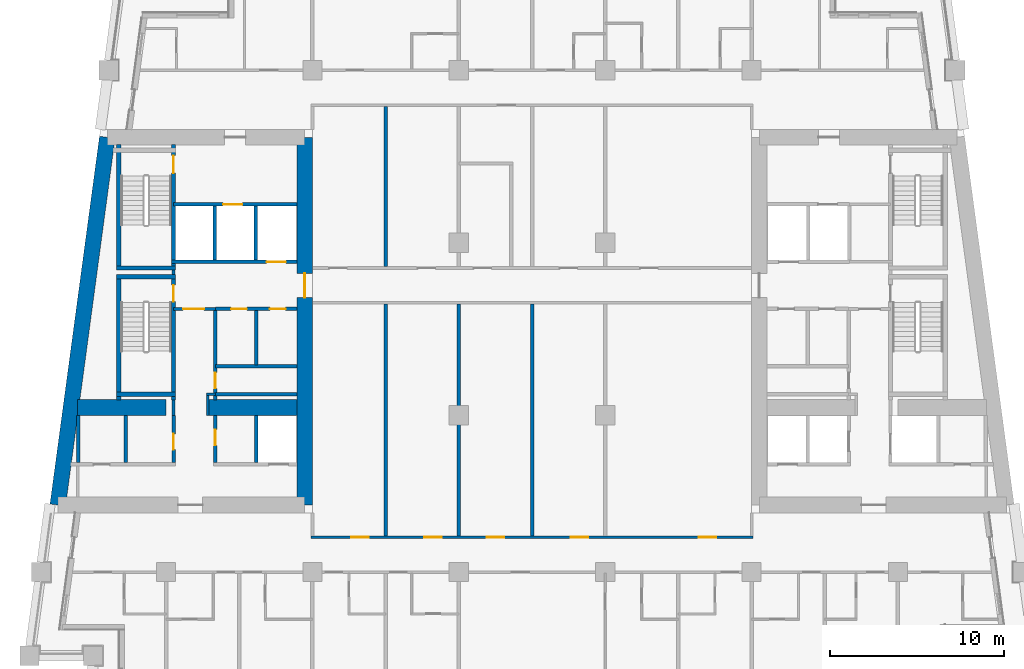
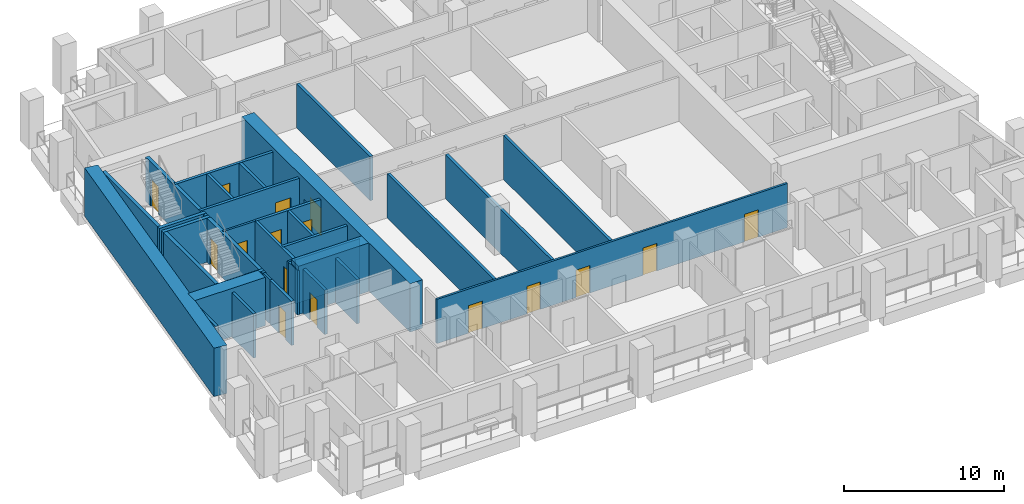
# One storey, part 4 of 14: 35 walls, 16 doors, 16 openings.
"""IFC4 building model written with IfcOpenShell, lengths in metres."""

import ifcopenshell
import ifcopenshell.guid

model = None  # the IFC model being written
_history = None  # IfcOwnerHistory: only IFC2X3 demands one
_inside = {}  # id of a spatial element -> (the spatial element, [elements in it])
_under = {}  # id of a project, library or spatial element -> (it, [spatial elements below it])
_declared = {}  # id of a project -> (the project, [libraries it declares])
_typed = {}  # id of a type object -> (the type object, [elements of that type])
_made_of = {}  # id of a material, layer set ... -> (it, [elements and type objects made of it])


def new_model(schema):
    """Start an empty IFC model of exactly this schema.

    Asked for "IFC4X3", IfcOpenShell would pick the latest addendum, in which some entities
    have other attributes; the version numbers below select the first issue.
    IFC2X3 requires an IfcOwnerHistory on every rooted entity: one is made here for all.
    """
    global model, _history
    if schema == "IFC4X3":
        model = ifcopenshell.file(schema_version=(4, 3, 0, 0))
    else:
        model = ifcopenshell.file(schema=schema)
    _inside.clear()
    _under.clear()
    _declared.clear()
    _typed.clear()
    _made_of.clear()
    _history = None
    if model.schema == "IFC2X3":
        org = make("IfcOrganization", Name="unknown")
        user = make(
            "IfcPersonAndOrganization",
            ThePerson=make("IfcPerson", FamilyName="unknown"),
            TheOrganization=org,
        )
        app = make(
            "IfcApplication",
            ApplicationDeveloper=org,
            Version="unknown",
            ApplicationFullName="unknown",
            ApplicationIdentifier="unknown",
        )
        _history = make(
            "IfcOwnerHistory",
            OwningUser=user,
            OwningApplication=app,
            ChangeAction="ADDED",
            CreationDate=0,
        )
    return model


def make(cls, **values):
    """One entity of the class cls with the attributes given. An attribute that is None is left unset."""
    return model.create_entity(
        cls, **{name: value for name, value in values.items() if value is not None}
    )


def rooted(cls, **values):
    """An entity with a GlobalId (a new one), such as an element, a storey or a relation."""
    return make(cls, GlobalId=ifcopenshell.guid.new(), OwnerHistory=_history, **values)


def si_unit(unit_type, name, prefix=None):
    """IfcSIUnit, for example si_unit("LENGTHUNIT", "METRE", prefix="MILLI")."""
    return make("IfcSIUnit", UnitType=unit_type, Prefix=prefix, Name=name)


def assignment(units):
    """IfcUnitAssignment: the units of a project."""
    return None if units is None else make("IfcUnitAssignment", Units=units)


def point(xyz):
    """IfcCartesianPoint."""
    return None if xyz is None else make("IfcCartesianPoint", Coordinates=xyz)


def direction(xyz):
    """IfcDirection."""
    return None if xyz is None else make("IfcDirection", DirectionRatios=xyz)


def frame(location, z_axis=None, x_axis=None):
    """IfcAxis2Placement3D, a coordinate frame: its origin and axes. An axis left out is left unset."""
    return make(
        "IfcAxis2Placement3D",
        Location=point(location),
        Axis=direction(z_axis),
        RefDirection=direction(x_axis),
    )


def frame_2d(location, x_axis=None):
    """IfcAxis2Placement2D, a coordinate frame in the plane: its origin and x axis."""
    return make(
        "IfcAxis2Placement2D", Location=point(location), RefDirection=direction(x_axis)
    )


def origin():
    """The frame at (0, 0, 0) with its axes left unset."""
    return frame((0.0, 0.0, 0.0))


def place(relative_to, where):
    """IfcLocalPlacement: puts the frame where relative to a parent placement (None: the world)."""
    return make(
        "IfcLocalPlacement", PlacementRelTo=relative_to, RelativePlacement=where
    )


def context(
    kind, dimensions, precision=None, world=None, true_north=None, identifier=None
):
    """IfcGeometricRepresentationContext, for example the 3D "Model" context."""
    return make(
        "IfcGeometricRepresentationContext",
        ContextIdentifier=identifier,
        ContextType=kind,
        CoordinateSpaceDimension=dimensions,
        Precision=precision,
        WorldCoordinateSystem=world,
        TrueNorth=true_north,
    )


def subcontext(parent, identifier, kind, view, scale=None):
    """IfcGeometricRepresentationSubContext, for example "Body" below "Model"."""
    return make(
        "IfcGeometricRepresentationSubContext",
        ContextIdentifier=identifier,
        ContextType=kind,
        ParentContext=parent,
        TargetScale=scale,
        TargetView=view,
    )


def project(units=None, contexts=None):
    """IfcProject with its units and contexts."""
    return rooted(
        "IfcProject",
        Name="project",
        RepresentationContexts=contexts,
        UnitsInContext=assignment(units),
    )


def spatial(cls, under=None, at=None, **own):
    """A site, building, storey or space (cls), placed at a placement, below another one or the project."""
    s = rooted(cls, ObjectPlacement=at, **own)
    if under is not None:
        _under.setdefault(under.id(), (under, []))[1].append(s)
    return s


def profile(cls, at=None, kind="AREA", **sizes):
    """A parametric profile (cls). Its sizes go by their IFC names, for example OverallWidth=200.0."""
    return make(cls, ProfileType=kind, Position=at, **sizes)


def rectangle(**sizes):
    """IfcRectangleProfileDef."""
    return profile("IfcRectangleProfileDef", **sizes)


def extrude(swept, where, along, depth):
    """IfcExtrudedAreaSolid: the profile swept, set in the frame where, extruded along a direction by depth."""
    return make(
        "IfcExtrudedAreaSolid",
        SweptArea=swept,
        Position=where,
        ExtrudedDirection=direction(along),
        Depth=depth,
    )


def shape(context_of_items, identifier, shape_type, items):
    """IfcShapeRepresentation: the items that make up one representation, for example the "Body"."""
    return make(
        "IfcShapeRepresentation",
        ContextOfItems=context_of_items,
        RepresentationIdentifier=identifier,
        RepresentationType=shape_type,
        Items=items,
    )


def material(Name=None, Category=None):
    """IfcMaterial."""
    return make("IfcMaterial", Name=Name, Category=Category)


def layer(
    of_material, thickness, ventilated=None, Name=None, Category=None, Priority=None
):
    """IfcMaterialLayer: one layer of a wall or slab, of a material (None: an air gap)."""
    return make(
        "IfcMaterialLayer",
        Material=of_material,
        LayerThickness=thickness,
        IsVentilated=ventilated,
        Name=Name,
        Category=Category,
        Priority=Priority,
    )


def layer_set(layers, Name=None):
    """IfcMaterialLayerSet."""
    return make("IfcMaterialLayerSet", MaterialLayers=layers, LayerSetName=Name)


def made_of(thing, what):
    """Note that an element or type object is made of a material, layer set ...; save() writes the relation."""
    if what is not None:
        _made_of.setdefault(what.id(), (what, []))[1].append(thing)
    return thing


def type_object(cls, material=None, **own):
    """A type object (cls), such as IfcWallType, which elements share."""
    return made_of(rooted(cls, **own), material)


def element(
    cls,
    number,
    at=None,
    inside=None,
    cuts=None,
    type_object=None,
    material=None,
    context=None,
    identifier="Body",
    shape_type=None,
    held_by="IfcProductDefinitionShape",
    body=None,
    shapes=None,
    **own,
):
    """One element of the class cls, such as IfcWall. Its Tag is "e" and its number.

    at: its placement. inside: the storey or other place that contains it. cuts: it is an
    opening in that element (IfcRelVoidsElement). A single representation is given by context,
    identifier, shape_type and body (its items); several are given by shapes. held_by: the class
    of the entity that holds the representations. save() writes the other relations.
    """
    e = rooted(cls, Tag="e%d" % number, ObjectPlacement=at, **own)
    if body is not None:
        shapes = [shape(context, identifier, shape_type, body)]
    if shapes is not None:
        e.Representation = make(held_by, Representations=shapes)
    if inside is not None:
        _inside.setdefault(inside.id(), (inside, []))[1].append(e)
    if cuts is not None:
        rooted(
            "IfcRelVoidsElement", RelatingBuildingElement=cuts, RelatedOpeningElement=e
        )
    if type_object is not None:
        _typed.setdefault(type_object.id(), (type_object, []))[1].append(e)
    return made_of(e, material)


def fill(opening, filler):
    """IfcRelFillsElement: the door or window that sits in an opening."""
    return rooted(
        "IfcRelFillsElement",
        RelatingOpeningElement=opening,
        RelatedBuildingElement=filler,
    )


def aggregate(whole, parts):
    """IfcRelAggregates: a whole, such as a stair, and the parts it consists of."""
    return rooted("IfcRelAggregates", RelatingObject=whole, RelatedObjects=parts)


def save(model, path):
    """Write the relations noted so far, then the file.

    IfcRelAggregates (storeys below a building ...), IfcRelContainedInSpatialStructure (elements
    in a storey), IfcRelDefinesByType, IfcRelAssociatesMaterial and IfcRelDeclares: one each for
    every whole, place, type object, material and project.
    """
    for whole, parts in _under.values():
        aggregate(whole, parts)
    for where, things in _inside.values():
        rooted(
            "IfcRelContainedInSpatialStructure",
            RelatedElements=things,
            RelatingStructure=where,
        )
    for kind, things in _typed.values():
        rooted("IfcRelDefinesByType", RelatedObjects=things, RelatingType=kind)
    for what, things in _made_of.values():
        rooted("IfcRelAssociatesMaterial", RelatedObjects=things, RelatingMaterial=what)
    for by, libraries in _declared.values():
        rooted("IfcRelDeclares", RelatingContext=by, RelatedDefinitions=libraries)
    model.write(path)


model = new_model("IFC4")

# Units and contexts
model_context = context("Model", 3, precision=1e-05, world=origin(), true_north=direction((0.0, 1.0)))
body_context = subcontext(model_context, "Body", "Model", "MODEL_VIEW")
ifc_project = project(units=[si_unit("LENGTHUNIT", "METRE"), si_unit("AREAUNIT", "SQUARE_METRE"), si_unit("VOLUMEUNIT", "CUBIC_METRE"), si_unit("PLANEANGLEUNIT", "RADIAN"), si_unit("MASSUNIT", "GRAM", prefix="KILO")], contexts=[model_context])

# Site, building, storey
site_placement = place(None, origin())
site = spatial("IfcSite", under=ifc_project, at=site_placement, CompositionType="ELEMENT")
building_placement = place(site_placement, origin())
building = spatial("IfcBuilding", under=site, at=building_placement, Name="Candeia Pilgrim Tower and Theatre", CompositionType="ELEMENT")
storey_placement = place(building_placement, frame((0.0, 0.0, 173.699951171875)))
storey = spatial("IfcBuildingStorey", under=building, at=storey_placement, Name="L41", CompositionType="ELEMENT", Elevation=173.699951171875)

# Wall, opening, door
ifc_material_1 = material(Name="Concrete C60/75", Category="concrete")
ifc_layer_1 = layer(ifc_material_1, 0.89990234375)
ifc_layer_set_1 = layer_set([ifc_layer_1], Name="Core wall 900 C60/75")
wall_type_1 = type_object("IfcWallType", Name="Core wall 900 C60/75", PredefinedType="SHEAR", material=ifc_layer_set_1)
wall_1_placement = place(storey_placement, frame((100.35009765625, 131.949951171875, 0.0), z_axis=(0.0, 0.0, 1.0), x_axis=(0.0, -1.0, 0.0)))
wall_1 = element("IfcWall", 1, at=wall_1_placement, inside=storey, type_object=wall_type_1, Name="Core wall W2", PredefinedType="SHEAR", context=body_context, shape_type="SweptSolid", body=[
    extrude(rectangle(XDim=21.099853515625, YDim=0.89990234375, at=frame_2d((10.5498046875, 0.0))), origin(), (0.0, 0.0, 1.0), 3.699951171875),
])
opening_1_placement = place(wall_1_placement, frame((7.800048828125, 0.0, 0.0)))
opening_1 = element("IfcOpeningElement", 2, at=opening_1_placement, cuts=wall_1, Name="Opening L41-D066", PredefinedType="OPENING", context=body_context, shape_type="SweptSolid", body=[
    extrude(rectangle(XDim=1.39990234375, YDim=2.10009765625, at=frame_2d((0.699951171875, 1.050048828125))), frame((0.0, 0.4599609375, 0.0), z_axis=(0.0, -1.0, 0.0), x_axis=(1.0, 0.0, 0.0)), (0.0, 0.0, 1.0), 0.919921875),
])
ifc_material_2 = material(Name="Steel fire door set", Category="steel")
door_type_1 = type_object("IfcDoorType", Name="D-1400-FD60", OperationType="NOTDEFINED", PredefinedType="DOOR", material=ifc_material_2)
door_1_placement = place(opening_1_placement, origin())
door_1 = element("IfcDoor", 3, at=door_1_placement, inside=storey, type_object=door_type_1, Name="Door L41-D066", OperationType="SINGLE_SWING_LEFT", OverallHeight=2.10009765625, OverallWidth=1.39990234375, PredefinedType="DOOR", context=body_context, shape_type="SweptSolid", body=[
    extrude(rectangle(XDim=1.39990234375, YDim=2.10009765625, at=frame_2d((0.699951171875, 1.050048828125))), frame((0.0, 0.02490234375, 0.0), z_axis=(0.0, -1.0, 0.0), x_axis=(1.0, 0.0, 0.0)), (0.0, 0.0, 1.0), 0.050048828125),
])
fill(opening_1, door_1)

# Walls
wall_2_placement = place(storey_placement, frame((86.183837890625, 110.85009765625, 0.0), z_axis=(0.0, 0.0, 1.0), x_axis=(0.133410495943, 0.991060865725, 0.0)))
element("IfcWall", 4, at=wall_2_placement, inside=storey, type_object=wall_type_1, Name="Core wall W4", PredefinedType="SHEAR", context=body_context, shape_type="SweptSolid", body=[
    extrude(rectangle(XDim=21.290283203125, YDim=0.89990234375, at=frame_2d((10.64501953125, 0.0))), origin(), (0.0, 0.0, 1.0), 3.699951171875),
])
wall_3_placement = place(storey_placement, frame((87.322998046875, 116.449951171875, 0.0), z_axis=(0.0, 0.0, 1.0), x_axis=(1.0, 0.0, 0.0)))
element("IfcWall", 5, at=wall_3_placement, inside=storey, type_object=wall_type_1, Name="Core wall W5", PredefinedType="SHEAR", context=body_context, shape_type="SweptSolid", body=[
    extrude(rectangle(XDim=5.076904296875, YDim=0.89990234375, at=frame_2d((2.53857421875, 0.0))), origin(), (0.0, 0.0, 1.0), 3.699951171875),
])
wall_4_placement = place(storey_placement, frame((94.800048828125, 116.449951171875, 0.0), z_axis=(0.0, 0.0, 1.0), x_axis=(1.0, 0.0, 0.0)))
element("IfcWall", 6, at=wall_4_placement, inside=storey, type_object=wall_type_1, Name="Core wall W6", PredefinedType="SHEAR", context=body_context, shape_type="SweptSolid", body=[
    extrude(rectangle(XDim=5.099853515625, YDim=0.89990234375, at=frame_2d((2.5498046875, 0.0))), origin(), (0.0, 0.0, 1.0), 3.699951171875),
])
ifc_material_3 = material(Name="Gypsum board partition on steel studs", Category="steel")
ifc_layer_2 = layer(ifc_material_3, 0.14990234375)
ifc_layer_set_2 = layer_set([ifc_layer_2], Name="PW-150 lobby wall")
wall_type_2 = type_object("IfcWallType", Name="PW-150 lobby wall", PredefinedType="PARTITIONING", material=ifc_layer_set_2)
wall_5_placement = place(storey_placement, frame((94.72509765625, 117.199951171875, 0.0), z_axis=(0.0, 0.0, 1.0), x_axis=(1.0, 0.0, 0.0)))
element("IfcWall", 7, at=wall_5_placement, inside=storey, type_object=wall_type_2, Name="Lobby wall L41-019", PredefinedType="PARTITIONING", context=body_context, shape_type="SweptSolid", body=[
    extrude(rectangle(XDim=0.501953125, YDim=0.14990234375, at=frame_2d((0.2509765625, 0.0))), origin(), (0.0, 0.0, 1.0), 3.380126953125),
])

# Wall, opening, door
wall_6_placement = place(storey_placement, frame((92.826904296875, 122.10009765625, 0.0), z_axis=(0.0, 0.0, 1.0), x_axis=(1.0, 0.0, 0.0)))
wall_6 = element("IfcWall", 8, at=wall_6_placement, inside=storey, type_object=wall_type_2, Name="Lobby wall L41-027", PredefinedType="PARTITIONING", context=body_context, shape_type="SweptSolid", body=[
    extrude(rectangle(XDim=2.400146484375, YDim=0.14990234375, at=frame_2d((1.2001953125, 0.0))), origin(), (0.0, 0.0, 1.0), 3.380126953125),
])
opening_2_placement = place(wall_6_placement, frame((0.550048828125, 0.0, 0.0)))
opening_2 = element("IfcOpeningElement", 9, at=opening_2_placement, cuts=wall_6, Name="Opening L41-D001", PredefinedType="OPENING", context=body_context, shape_type="SweptSolid", body=[
    extrude(rectangle(XDim=1.199951171875, YDim=2.10009765625, at=frame_2d((0.60009765625, 1.050048828125))), frame((0.0, 0.0849609375, 0.0), z_axis=(0.0, -1.0, 0.0), x_axis=(1.0, 0.0, 0.0)), (0.0, 0.0, 1.0), 0.169921875),
])
door_type_2 = type_object("IfcDoorType", Name="D-1200-FD60", OperationType="NOTDEFINED", PredefinedType="DOOR", material=ifc_material_2)
door_2_placement = place(opening_2_placement, origin())
door_2 = element("IfcDoor", 10, at=door_2_placement, inside=storey, type_object=door_type_2, Name="Door L41-D001", OperationType="SINGLE_SWING_RIGHT", OverallHeight=2.10009765625, OverallWidth=1.199951171875, PredefinedType="DOOR", context=body_context, shape_type="SweptSolid", body=[
    extrude(rectangle(XDim=1.199951171875, YDim=2.10009765625, at=frame_2d((0.60009765625, 1.050048828125))), frame((0.0, 0.02490234375, 0.0), z_axis=(0.0, -1.0, 0.0), x_axis=(1.0, 0.0, 0.0)), (0.0, 0.0, 1.0), 0.050048828125),
])
fill(opening_2, door_2)

# Walls
wall_7_placement = place(storey_placement, frame((92.826904296875, 116.0, 0.0), z_axis=(0.0, 0.0, 1.0), x_axis=(0.0, 1.0, 0.0)))
element("IfcWall", 11, at=wall_7_placement, inside=storey, type_object=wall_type_2, Name="Lobby wall L41-060", PredefinedType="PARTITIONING", context=body_context, shape_type="SweptSolid", body=[
    extrude(rectangle(XDim=0.8701171875, YDim=0.14990234375, at=frame_2d((0.43505859375, 0.0))), origin(), (0.0, 0.0, 1.0), 3.380126953125),
])
wall_8_placement = place(storey_placement, frame((92.826904296875, 124.074951171875, 0.0), z_axis=(0.0, 0.0, 1.0), x_axis=(0.0, 1.0, 0.0)))
element("IfcWall", 12, at=wall_8_placement, inside=storey, type_object=wall_type_2, Name="Lobby wall L41-061", PredefinedType="PARTITIONING", context=body_context, shape_type="SweptSolid", body=[
    extrude(rectangle(XDim=0.25, YDim=0.14990234375, at=frame_2d((0.125, 0.0))), origin(), (0.0, 0.0, 1.0), 3.380126953125),
])
wall_9_placement = place(storey_placement, frame((94.800048828125, 116.0, 0.0), z_axis=(0.0, 0.0, 1.0), x_axis=(0.0, 1.0, 0.0)))
element("IfcWall", 13, at=wall_9_placement, inside=storey, type_object=wall_type_2, Name="Lobby wall L41-065", PredefinedType="PARTITIONING", context=body_context, shape_type="SweptSolid", body=[
    extrude(rectangle(XDim=1.125, YDim=0.14990234375, at=frame_2d((0.5625, 0.0))), origin(), (0.0, 0.0, 1.0), 3.380126953125),
])

# Wall, openings, doors
ifc_layer_3 = layer(ifc_material_3, 0.14990234375)
ifc_layer_set_3 = layer_set([ifc_layer_3], Name="PW-150 unit wall")
wall_type_3 = type_object("IfcWallType", Name="PW-150 unit wall", PredefinedType="PARTITIONING", material=ifc_layer_set_3)
wall_10_placement = place(storey_placement, frame((100.72509765625, 109.0, 0.0), z_axis=(0.0, 0.0, 1.0), x_axis=(1.0, 0.0, 0.0)))
wall_10 = element("IfcWall", 14, at=wall_10_placement, inside=storey, type_object=wall_type_3, Name="Unit wall L41-012", PredefinedType="PARTITIONING", context=body_context, shape_type="SweptSolid", body=[
    extrude(rectangle(XDim=25.349853515625, YDim=0.14990234375, at=frame_2d((12.6748046875, 0.0))), origin(), (0.0, 0.0, 1.0), 3.380126953125),
])
opening_3_placement = place(wall_10_placement, frame((2.300048828125, 0.0, 0.0)))
opening_3 = element("IfcOpeningElement", 15, at=opening_3_placement, cuts=wall_10, Name="Opening L41-D054", PredefinedType="OPENING", context=body_context, shape_type="SweptSolid", body=[
    extrude(rectangle(XDim=1.0, YDim=2.10009765625, at=frame_2d((0.5, 1.050048828125))), frame((0.0, 0.0849609375, 0.0), z_axis=(0.0, -1.0, 0.0), x_axis=(1.0, 0.0, 0.0)), (0.0, 0.0, 1.0), 0.169921875),
])
opening_4_placement = place(wall_10_placement, frame((6.5, 0.0, 0.0)))
opening_4 = element("IfcOpeningElement", 16, at=opening_4_placement, cuts=wall_10, Name="Opening L41-D055", PredefinedType="OPENING", context=body_context, shape_type="SweptSolid", body=[
    extrude(rectangle(XDim=1.0, YDim=2.10009765625, at=frame_2d((0.5, 1.050048828125))), frame((0.0, 0.0849609375, 0.0), z_axis=(0.0, -1.0, 0.0), x_axis=(1.0, 0.0, 0.0)), (0.0, 0.0, 1.0), 0.169921875),
])
opening_5_placement = place(wall_10_placement, frame((10.074951171875, 0.0, 0.0)))
opening_5 = element("IfcOpeningElement", 17, at=opening_5_placement, cuts=wall_10, Name="Opening L41-D056", PredefinedType="OPENING", context=body_context, shape_type="SweptSolid", body=[
    extrude(rectangle(XDim=1.0, YDim=2.10009765625, at=frame_2d((0.5, 1.050048828125))), frame((0.0, 0.0849609375, 0.0), z_axis=(0.0, -1.0, 0.0), x_axis=(1.0, 0.0, 0.0)), (0.0, 0.0, 1.0), 0.169921875),
])
opening_6_placement = place(wall_10_placement, frame((14.89990234375, 0.0, 0.0)))
opening_6 = element("IfcOpeningElement", 18, at=opening_6_placement, cuts=wall_10, Name="Opening L41-D057", PredefinedType="OPENING", context=body_context, shape_type="SweptSolid", body=[
    extrude(rectangle(XDim=1.0, YDim=2.10009765625, at=frame_2d((0.5, 1.050048828125))), frame((0.0, 0.0849609375, 0.0), z_axis=(0.0, -1.0, 0.0), x_axis=(1.0, 0.0, 0.0)), (0.0, 0.0, 1.0), 0.169921875),
])
opening_7_placement = place(wall_10_placement, frame((22.25, 0.0, 0.0)))
opening_7 = element("IfcOpeningElement", 19, at=opening_7_placement, cuts=wall_10, Name="Opening L41-D058", PredefinedType="OPENING", context=body_context, shape_type="SweptSolid", body=[
    extrude(rectangle(XDim=1.0, YDim=2.10009765625, at=frame_2d((0.5, 1.050048828125))), frame((0.0, 0.0849609375, 0.0), z_axis=(0.0, -1.0, 0.0), x_axis=(1.0, 0.0, 0.0)), (0.0, 0.0, 1.0), 0.169921875),
])
door_type_3 = type_object("IfcDoorType", Name="D-1000-FD30S", OperationType="NOTDEFINED", PredefinedType="DOOR", material=ifc_material_2)
door_3_placement = place(opening_3_placement, origin())
door_3 = element("IfcDoor", 20, at=door_3_placement, inside=storey, type_object=door_type_3, Name="Door L41-D054", OperationType="SINGLE_SWING_LEFT", OverallHeight=2.10009765625, OverallWidth=1.0, PredefinedType="DOOR", context=body_context, shape_type="SweptSolid", body=[
    extrude(rectangle(XDim=1.0, YDim=2.10009765625, at=frame_2d((0.5, 1.050048828125))), frame((0.0, 0.02490234375, 0.0), z_axis=(0.0, -1.0, 0.0), x_axis=(1.0, 0.0, 0.0)), (0.0, 0.0, 1.0), 0.050048828125),
])
fill(opening_3, door_3)
door_4_placement = place(opening_4_placement, origin())
door_4 = element("IfcDoor", 21, at=door_4_placement, inside=storey, type_object=door_type_3, Name="Door L41-D055", OperationType="SINGLE_SWING_RIGHT", OverallHeight=2.10009765625, OverallWidth=1.0, PredefinedType="DOOR", context=body_context, shape_type="SweptSolid", body=[
    extrude(rectangle(XDim=1.0, YDim=2.10009765625, at=frame_2d((0.5, 1.050048828125))), frame((0.0, 0.02490234375, 0.0), z_axis=(0.0, -1.0, 0.0), x_axis=(1.0, 0.0, 0.0)), (0.0, 0.0, 1.0), 0.050048828125),
])
fill(opening_4, door_4)
door_5_placement = place(opening_5_placement, origin())
door_5 = element("IfcDoor", 22, at=door_5_placement, inside=storey, type_object=door_type_3, Name="Door L41-D056", OperationType="SINGLE_SWING_LEFT", OverallHeight=2.10009765625, OverallWidth=1.0, PredefinedType="DOOR", context=body_context, shape_type="SweptSolid", body=[
    extrude(rectangle(XDim=1.0, YDim=2.10009765625, at=frame_2d((0.5, 1.050048828125))), frame((0.0, 0.02490234375, 0.0), z_axis=(0.0, -1.0, 0.0), x_axis=(1.0, 0.0, 0.0)), (0.0, 0.0, 1.0), 0.050048828125),
])
fill(opening_5, door_5)
door_6_placement = place(opening_6_placement, origin())
door_6 = element("IfcDoor", 23, at=door_6_placement, inside=storey, type_object=door_type_3, Name="Door L41-D057", OperationType="SINGLE_SWING_RIGHT", OverallHeight=2.10009765625, OverallWidth=1.0, PredefinedType="DOOR", context=body_context, shape_type="SweptSolid", body=[
    extrude(rectangle(XDim=1.0, YDim=2.10009765625, at=frame_2d((0.5, 1.050048828125))), frame((0.0, 0.02490234375, 0.0), z_axis=(0.0, -1.0, 0.0), x_axis=(1.0, 0.0, 0.0)), (0.0, 0.0, 1.0), 0.050048828125),
])
fill(opening_6, door_6)
door_7_placement = place(opening_7_placement, origin())
door_7 = element("IfcDoor", 24, at=door_7_placement, inside=storey, type_object=door_type_3, Name="Door L41-D058", OperationType="SINGLE_SWING_LEFT", OverallHeight=2.10009765625, OverallWidth=1.0, PredefinedType="DOOR", context=body_context, shape_type="SweptSolid", body=[
    extrude(rectangle(XDim=1.0, YDim=2.10009765625, at=frame_2d((0.5, 1.050048828125))), frame((0.0, 0.02490234375, 0.0), z_axis=(0.0, -1.0, 0.0), x_axis=(1.0, 0.0, 0.0)), (0.0, 0.0, 1.0), 0.050048828125),
])
fill(opening_7, door_7)

# Walls
ifc_layer_4 = layer(ifc_material_3, 0.199951171875)
ifc_layer_set_4 = layer_set([ifc_layer_4], Name="PW-200 party wall")
wall_type_4 = type_object("IfcWallType", Name="PW-200 party wall", PredefinedType="PARTITIONING", material=ifc_layer_set_4)
wall_11_placement = place(storey_placement, frame((105.0, 109.074951171875, 0.0), z_axis=(0.0, 0.0, 1.0), x_axis=(0.0, 1.0, 0.0)))
element("IfcWall", 25, at=wall_11_placement, inside=storey, type_object=wall_type_4, Name="Party wall L41-082", PredefinedType="PARTITIONING", context=body_context, shape_type="SweptSolid", body=[
    extrude(rectangle(XDim=13.300048828125, YDim=0.199951171875, at=frame_2d((6.64990234375, 0.0))), origin(), (0.0, 0.0, 1.0), 3.380126953125),
])
wall_12_placement = place(storey_placement, frame((105.0, 124.52490234375, 0.0), z_axis=(0.0, 0.0, 1.0), x_axis=(0.0, 1.0, 0.0)))
element("IfcWall", 26, at=wall_12_placement, inside=storey, type_object=wall_type_4, Name="Party wall L41-083", PredefinedType="PARTITIONING", context=body_context, shape_type="SweptSolid", body=[
    extrude(rectangle(XDim=9.2001953125, YDim=0.199951171875, at=frame_2d((4.60009765625, 0.0))), origin(), (0.0, 0.0, 1.0), 3.380126953125),
])
for number, where, z_axis, x_axis, name in (
    (27, (109.199951171875, 109.074951171875, 0.0), (0.0, 0.0, 1.0), (0.0, 1.0, 0.0), "Party wall L41-087"),
    (28, (113.39990234375, 109.074951171875, 0.0), (0.0, 0.0, 1.0), (0.0, 1.0, 0.0), "Party wall L41-091"),
):
    element("IfcWall", number, at=place(storey_placement, frame(where, z_axis=z_axis, x_axis=x_axis)), inside=storey, type_object=wall_type_4, Name=name, PredefinedType="PARTITIONING", context=body_context, shape_type="SweptSolid", body=[
        extrude(rectangle(XDim=13.300048828125, YDim=0.199951171875, at=frame_2d((6.64990234375, 0.0))), origin(), (0.0, 0.0, 1.0), 3.380126953125),
    ])
ifc_material_4 = material(Name="Concrete C40/50", Category="concrete")
ifc_layer_5 = layer(ifc_material_4, 0.199951171875)
ifc_layer_set_5 = layer_set([ifc_layer_5], Name="SW-200 shaft wall")
wall_type_5 = type_object("IfcWallType", Name="SW-200 shaft wall", PredefinedType="PARTITIONING", material=ifc_layer_set_5)
for number, where, z_axis, x_axis, name in (
    (29, (95.22705078125, 117.199951171875, 0.0), (0.0, 0.0, 1.0), (1.0, 0.0, 0.0), "Shaft wall L41-017"),
    (30, (95.22705078125, 118.800048828125, 0.0), (0.0, 0.0, 1.0), (1.0, 0.0, 0.0), "Shaft wall L41-023"),
):
    element("IfcWall", number, at=place(storey_placement, frame(where, z_axis=z_axis, x_axis=x_axis)), inside=storey, type_object=wall_type_5, Name=name, PredefinedType="PARTITIONING", context=body_context, shape_type="SweptSolid", body=[
        extrude(rectangle(XDim=4.6728515625, YDim=0.199951171875, at=frame_2d((2.33642578125, 0.0))), origin(), (0.0, 0.0, 1.0), 3.380126953125),
    ])

# Wall, openings, doors
wall_13_placement = place(storey_placement, frame((95.22705078125, 122.10009765625, 0.0), z_axis=(0.0, 0.0, 1.0), x_axis=(1.0, 0.0, 0.0)))
wall_13 = element("IfcWall", 31, at=wall_13_placement, inside=storey, type_object=wall_type_5, Name="Shaft wall L41-025", PredefinedType="PARTITIONING", context=body_context, shape_type="SweptSolid", body=[
    extrude(rectangle(XDim=4.6728515625, YDim=0.199951171875, at=frame_2d((2.33642578125, 0.0))), origin(), (0.0, 0.0, 1.0), 3.380126953125),
])
opening_8_placement = place(wall_13_placement, frame((0.902099609375, 0.0, 0.0)))
opening_8 = element("IfcOpeningElement", 32, at=opening_8_placement, cuts=wall_13, Name="Opening L41-D002", PredefinedType="OPENING", context=body_context, shape_type="SweptSolid", body=[
    extrude(rectangle(XDim=0.89990234375, YDim=2.10009765625, at=frame_2d((0.449951171875, 1.050048828125))), frame((0.0, 0.10986328125, 0.0), z_axis=(0.0, -1.0, 0.0), x_axis=(1.0, 0.0, 0.0)), (0.0, 0.0, 1.0), 0.219970703125),
])
opening_9_placement = place(wall_13_placement, frame((3.1279296875, 0.0, 0.0)))
opening_9 = element("IfcOpeningElement", 33, at=opening_9_placement, cuts=wall_13, Name="Opening L41-D003", PredefinedType="OPENING", context=body_context, shape_type="SweptSolid", body=[
    extrude(rectangle(XDim=0.89990234375, YDim=2.10009765625, at=frame_2d((0.449951171875, 1.050048828125))), frame((0.0, 0.10986328125, 0.0), z_axis=(0.0, -1.0, 0.0), x_axis=(1.0, 0.0, 0.0)), (0.0, 0.0, 1.0), 0.219970703125),
])
door_type_4 = type_object("IfcDoorType", Name="D-900-FD60", OperationType="NOTDEFINED", PredefinedType="DOOR", material=ifc_material_2)
door_8_placement = place(opening_8_placement, origin())
door_8 = element("IfcDoor", 34, at=door_8_placement, inside=storey, type_object=door_type_4, Name="Door L41-D002", OperationType="SINGLE_SWING_LEFT", OverallHeight=2.10009765625, OverallWidth=0.89990234375, PredefinedType="DOOR", context=body_context, shape_type="SweptSolid", body=[
    extrude(rectangle(XDim=0.89990234375, YDim=2.10009765625, at=frame_2d((0.449951171875, 1.050048828125))), frame((0.0, 0.02490234375, 0.0), z_axis=(0.0, -1.0, 0.0), x_axis=(1.0, 0.0, 0.0)), (0.0, 0.0, 1.0), 0.050048828125),
])
fill(opening_8, door_8)
door_9_placement = place(opening_9_placement, origin())
door_9 = element("IfcDoor", 35, at=door_9_placement, inside=storey, type_object=door_type_4, Name="Door L41-D003", OperationType="SINGLE_SWING_RIGHT", OverallHeight=2.10009765625, OverallWidth=0.89990234375, PredefinedType="DOOR", context=body_context, shape_type="SweptSolid", body=[
    extrude(rectangle(XDim=0.89990234375, YDim=2.10009765625, at=frame_2d((0.449951171875, 1.050048828125))), frame((0.0, 0.02490234375, 0.0), z_axis=(0.0, -1.0, 0.0), x_axis=(1.0, 0.0, 0.0)), (0.0, 0.0, 1.0), 0.050048828125),
])
fill(opening_9, door_9)

# Wall, opening, door
wall_14_placement = place(storey_placement, frame((92.701904296875, 124.800048828125, 0.0), z_axis=(0.0, 0.0, 1.0), x_axis=(1.0, 0.0, 0.0)))
wall_14 = element("IfcWall", 36, at=wall_14_placement, inside=storey, type_object=wall_type_5, Name="Shaft wall L41-035", PredefinedType="PARTITIONING", context=body_context, shape_type="SweptSolid", body=[
    extrude(rectangle(XDim=7.197998046875, YDim=0.199951171875, at=frame_2d((3.59912109375, 0.0))), origin(), (0.0, 0.0, 1.0), 3.380126953125),
])
opening_10_placement = place(wall_14_placement, frame((5.468994140625, 0.0, 0.0)))
opening_10 = element("IfcOpeningElement", 37, at=opening_10_placement, cuts=wall_14, Name="Opening L41-LD02", PredefinedType="OPENING", context=body_context, shape_type="SweptSolid", body=[
    extrude(rectangle(XDim=1.10009765625, YDim=2.10009765625, at=frame_2d((0.550048828125, 1.050048828125))), frame((0.0, 0.10986328125, 0.0), z_axis=(0.0, -1.0, 0.0), x_axis=(1.0, 0.0, 0.0)), (0.0, 0.0, 1.0), 0.219970703125),
])
ifc_material_5 = material(Name="Glazed aluminium landing door", Category="aluminium")
door_type_5 = type_object("IfcDoorType", Name="LD-1100-EI120", OperationType="SLIDING_TO_LEFT", PredefinedType="DOOR", material=ifc_material_5)
door_10_placement = place(opening_10_placement, origin())
door_10 = element("IfcDoor", 38, at=door_10_placement, inside=storey, type_object=door_type_5, Name="Landing door 02 L41", OperationType="SLIDING_TO_LEFT", OverallHeight=2.10009765625, OverallWidth=1.10009765625, PredefinedType="DOOR", context=body_context, shape_type="SweptSolid", body=[
    extrude(rectangle(XDim=1.10009765625, YDim=2.10009765625, at=frame_2d((0.550048828125, 1.050048828125))), frame((0.0, 0.02490234375, 0.0), z_axis=(0.0, -1.0, 0.0), x_axis=(1.0, 0.0, 0.0)), (0.0, 0.0, 1.0), 0.050048828125),
])
fill(opening_10, door_10)

wall_15_placement = place(storey_placement, frame((92.826904296875, 128.10009765625, 0.0), z_axis=(0.0, 0.0, 1.0), x_axis=(1.0, 0.0, 0.0)))
wall_15 = element("IfcWall", 39, at=wall_15_placement, inside=storey, type_object=wall_type_5, Name="Shaft wall L41-038", PredefinedType="PARTITIONING", context=body_context, shape_type="SweptSolid", body=[
    extrude(rectangle(XDim=7.072998046875, YDim=0.199951171875, at=frame_2d((3.53662109375, 0.0))), origin(), (0.0, 0.0, 1.0), 3.380126953125),
])
opening_11_placement = place(wall_15_placement, frame((2.846923828125, 0.0, 0.0)))
opening_11 = element("IfcOpeningElement", 40, at=opening_11_placement, cuts=wall_15, Name="Opening L41-LD01", PredefinedType="OPENING", context=body_context, shape_type="SweptSolid", body=[
    extrude(rectangle(XDim=1.10009765625, YDim=2.10009765625, at=frame_2d((0.550048828125, 1.050048828125))), frame((0.0, 0.10986328125, 0.0), z_axis=(0.0, -1.0, 0.0), x_axis=(1.0, 0.0, 0.0)), (0.0, 0.0, 1.0), 0.219970703125),
])
door_11_placement = place(opening_11_placement, origin())
door_11 = element("IfcDoor", 41, at=door_11_placement, inside=storey, type_object=door_type_5, Name="Landing door 01 L41", OperationType="SLIDING_TO_LEFT", OverallHeight=2.10009765625, OverallWidth=1.10009765625, PredefinedType="DOOR", context=body_context, shape_type="SweptSolid", body=[
    extrude(rectangle(XDim=1.10009765625, YDim=2.10009765625, at=frame_2d((0.550048828125, 1.050048828125))), frame((0.0, 0.02490234375, 0.0), z_axis=(0.0, -1.0, 0.0), x_axis=(1.0, 0.0, 0.0)), (0.0, 0.0, 1.0), 0.050048828125),
])
fill(opening_11, door_11)

# Walls
for number, where, z_axis, x_axis, name in (
    (42, (87.350341796875, 113.300048828125, 0.0), (0.0, 0.0, 1.0), (0.0, 1.0, 0.0), "Shaft wall L41-052"),
    (43, (90.077392578125, 113.300048828125, 0.0), (0.0, 0.0, 1.0), (0.0, 1.0, 0.0), "Shaft wall L41-057"),
):
    element("IfcWall", number, at=place(storey_placement, frame(where, z_axis=z_axis, x_axis=x_axis)), inside=storey, type_object=wall_type_5, Name=name, PredefinedType="PARTITIONING", context=body_context, shape_type="SweptSolid", body=[
        extrude(rectangle(XDim=2.699951171875, YDim=0.199951171875, at=frame_2d((1.35009765625, 0.0))), origin(), (0.0, 0.0, 1.0), 3.380126953125),
    ])

# Wall, opening, door
wall_16_placement = place(storey_placement, frame((92.826904296875, 113.300048828125, 0.0), z_axis=(0.0, 0.0, 1.0), x_axis=(0.0, 1.0, 0.0)))
wall_16 = element("IfcWall", 44, at=wall_16_placement, inside=storey, type_object=wall_type_5, Name="Shaft wall L41-059", PredefinedType="PARTITIONING", context=body_context, shape_type="SweptSolid", body=[
    extrude(rectangle(XDim=2.699951171875, YDim=0.199951171875, at=frame_2d((1.35009765625, 0.0))), origin(), (0.0, 0.0, 1.0), 3.380126953125),
])
opening_12_placement = place(wall_16_placement, frame((0.72998046875, 0.0, 0.0)))
opening_12 = element("IfcOpeningElement", 45, at=opening_12_placement, cuts=wall_16, Name="Opening L41-D008", PredefinedType="OPENING", context=body_context, shape_type="SweptSolid", body=[
    extrude(rectangle(XDim=0.89990234375, YDim=2.10009765625, at=frame_2d((0.449951171875, 1.050048828125))), frame((0.0, 0.10986328125, 0.0), z_axis=(0.0, -1.0, 0.0), x_axis=(1.0, 0.0, 0.0)), (0.0, 0.0, 1.0), 0.219970703125),
])
door_12_placement = place(opening_12_placement, origin())
door_12 = element("IfcDoor", 46, at=door_12_placement, inside=storey, type_object=door_type_4, Name="Door L41-D008", OperationType="SINGLE_SWING_RIGHT", OverallHeight=2.10009765625, OverallWidth=0.89990234375, PredefinedType="DOOR", context=body_context, shape_type="SweptSolid", body=[
    extrude(rectangle(XDim=0.89990234375, YDim=2.10009765625, at=frame_2d((0.449951171875, 1.050048828125))), frame((0.0, 0.02490234375, 0.0), z_axis=(0.0, -1.0, 0.0), x_axis=(1.0, 0.0, 0.0)), (0.0, 0.0, 1.0), 0.050048828125),
])
fill(opening_12, door_12)

# Wall
wall_17_placement = place(storey_placement, frame((95.184814453125, 124.89990234375, 0.0), z_axis=(0.0, 0.0, 1.0), x_axis=(0.0, 1.0, 0.0)))
element("IfcWall", 47, at=wall_17_placement, inside=storey, type_object=wall_type_5, Name="Shaft wall L41-067", PredefinedType="PARTITIONING", context=body_context, shape_type="SweptSolid", body=[
    extrude(rectangle(XDim=3.10009765625, YDim=0.199951171875, at=frame_2d((1.550048828125, 0.0))), origin(), (0.0, 0.0, 1.0), 3.380126953125),
])

# Wall, opening, door
wall_18_placement = place(storey_placement, frame((95.22705078125, 113.300048828125, 0.0), z_axis=(0.0, 0.0, 1.0), x_axis=(0.0, 1.0, 0.0)))
wall_18 = element("IfcWall", 48, at=wall_18_placement, inside=storey, type_object=wall_type_5, Name="Shaft wall L41-068", PredefinedType="PARTITIONING", context=body_context, shape_type="SweptSolid", body=[
    extrude(rectangle(XDim=2.699951171875, YDim=0.199951171875, at=frame_2d((1.35009765625, 0.0))), origin(), (0.0, 0.0, 1.0), 3.380126953125),
])
opening_13_placement = place(wall_18_placement, frame((0.969970703125, 0.0, 0.0)))
opening_13 = element("IfcOpeningElement", 49, at=opening_13_placement, cuts=wall_18, Name="Opening L41-D009", PredefinedType="OPENING", context=body_context, shape_type="SweptSolid", body=[
    extrude(rectangle(XDim=0.89990234375, YDim=2.10009765625, at=frame_2d((0.449951171875, 1.050048828125))), frame((0.0, 0.10986328125, 0.0), z_axis=(0.0, -1.0, 0.0), x_axis=(1.0, 0.0, 0.0)), (0.0, 0.0, 1.0), 0.219970703125),
])
door_13_placement = place(opening_13_placement, origin())
door_13 = element("IfcDoor", 50, at=door_13_placement, inside=storey, type_object=door_type_4, Name="Door L41-D009", OperationType="SINGLE_SWING_LEFT", OverallHeight=2.10009765625, OverallWidth=0.89990234375, PredefinedType="DOOR", context=body_context, shape_type="SweptSolid", body=[
    extrude(rectangle(XDim=0.89990234375, YDim=2.10009765625, at=frame_2d((0.449951171875, 1.050048828125))), frame((0.0, 0.02490234375, 0.0), z_axis=(0.0, -1.0, 0.0), x_axis=(1.0, 0.0, 0.0)), (0.0, 0.0, 1.0), 0.050048828125),
])
fill(opening_13, door_13)

wall_19_placement = place(storey_placement, frame((95.22705078125, 116.8701171875, 0.0), z_axis=(0.0, 0.0, 1.0), x_axis=(0.0, 1.0, 0.0)))
wall_19 = element("IfcWall", 51, at=wall_19_placement, inside=storey, type_object=wall_type_5, Name="Shaft wall L41-069", PredefinedType="PARTITIONING", context=body_context, shape_type="SweptSolid", body=[
    extrude(rectangle(XDim=5.1298828125, YDim=0.199951171875, at=frame_2d((2.56494140625, 0.0))), origin(), (0.0, 0.0, 1.0), 3.380126953125),
])
opening_14_placement = place(wall_19_placement, frame((0.679931640625, 0.0, 0.0)))
opening_14 = element("IfcOpeningElement", 52, at=opening_14_placement, cuts=wall_19, Name="Opening L41-D006", PredefinedType="OPENING", context=body_context, shape_type="SweptSolid", body=[
    extrude(rectangle(XDim=0.89990234375, YDim=2.10009765625, at=frame_2d((0.449951171875, 1.050048828125))), frame((0.0, 0.10986328125, 0.0), z_axis=(0.0, -1.0, 0.0), x_axis=(1.0, 0.0, 0.0)), (0.0, 0.0, 1.0), 0.219970703125),
])
door_14_placement = place(opening_14_placement, origin())
door_14 = element("IfcDoor", 53, at=door_14_placement, inside=storey, type_object=door_type_4, Name="Door L41-D006", OperationType="SINGLE_SWING_LEFT", OverallHeight=2.10009765625, OverallWidth=0.89990234375, PredefinedType="DOOR", context=body_context, shape_type="SweptSolid", body=[
    extrude(rectangle(XDim=0.89990234375, YDim=2.10009765625, at=frame_2d((0.449951171875, 1.050048828125))), frame((0.0, 0.02490234375, 0.0), z_axis=(0.0, -1.0, 0.0), x_axis=(1.0, 0.0, 0.0)), (0.0, 0.0, 1.0), 0.050048828125),
])
fill(opening_14, door_14)

# Walls
wall_20_placement = place(storey_placement, frame((97.542236328125, 124.89990234375, 0.0), z_axis=(0.0, 0.0, 1.0), x_axis=(0.0, 1.0, 0.0)))
element("IfcWall", 54, at=wall_20_placement, inside=storey, type_object=wall_type_5, Name="Shaft wall L41-072", PredefinedType="PARTITIONING", context=body_context, shape_type="SweptSolid", body=[
    extrude(rectangle(XDim=3.10009765625, YDim=0.199951171875, at=frame_2d((1.550048828125, 0.0))), origin(), (0.0, 0.0, 1.0), 3.380126953125),
])
wall_21_placement = place(storey_placement, frame((97.5634765625, 113.300048828125, 0.0), z_axis=(0.0, 0.0, 1.0), x_axis=(0.0, 1.0, 0.0)))
element("IfcWall", 55, at=wall_21_placement, inside=storey, type_object=wall_type_5, Name="Shaft wall L41-073", PredefinedType="PARTITIONING", context=body_context, shape_type="SweptSolid", body=[
    extrude(rectangle(XDim=2.699951171875, YDim=0.199951171875, at=frame_2d((1.35009765625, 0.0))), origin(), (0.0, 0.0, 1.0), 3.380126953125),
])
wall_22_placement = place(storey_placement, frame((97.5634765625, 118.89990234375, 0.0), z_axis=(0.0, 0.0, 1.0), x_axis=(0.0, 1.0, 0.0)))
element("IfcWall", 56, at=wall_22_placement, inside=storey, type_object=wall_type_5, Name="Shaft wall L41-074", PredefinedType="PARTITIONING", context=body_context, shape_type="SweptSolid", body=[
    extrude(rectangle(XDim=3.10009765625, YDim=0.199951171875, at=frame_2d((1.550048828125, 0.0))), origin(), (0.0, 0.0, 1.0), 3.380126953125),
])
ifc_layer_6 = layer(ifc_material_4, 0.25)
ifc_layer_set_6 = layer_set([ifc_layer_6], Name="SW-250 stair wall")
wall_type_6 = type_object("IfcWallType", Name="SW-250 stair wall", PredefinedType="PARTITIONING", material=ifc_layer_set_6)
for number, where, z_axis, x_axis, name in (
    (57, (89.552001953125, 117.199951171875, 0.0), (0.0, 0.0, 1.0), (1.0, 0.0, 0.0), "Stair wall L41-021"),
    (58, (89.552001953125, 123.949951171875, 0.0), (0.0, 0.0, 1.0), (1.0, 0.0, 0.0), "Stair wall L41-030"),
    (59, (89.552001953125, 124.449951171875, 0.0), (0.0, 0.0, 1.0), (1.0, 0.0, 0.0), "Stair wall L41-032"),
):
    element("IfcWall", number, at=place(storey_placement, frame(where, z_axis=z_axis, x_axis=x_axis)), inside=storey, type_object=wall_type_6, Name=name, PredefinedType="PARTITIONING", context=body_context, shape_type="SweptSolid", body=[
        extrude(rectangle(XDim=3.39990234375, YDim=0.25, at=frame_2d((1.699951171875, 0.0))), origin(), (0.0, 0.0, 1.0), 3.380126953125),
    ])
wall_23_placement = place(storey_placement, frame((89.677001953125, 116.8701171875, 0.0), z_axis=(0.0, 0.0, 1.0), x_axis=(0.0, 1.0, 0.0)))
element("IfcWall", 60, at=wall_23_placement, inside=storey, type_object=wall_type_6, Name="Stair wall L41-054", PredefinedType="PARTITIONING", context=body_context, shape_type="SweptSolid", body=[
    extrude(rectangle(XDim=6.954833984375, YDim=0.25, at=frame_2d((3.4775390625, 0.0))), origin(), (0.0, 0.0, 1.0), 3.380126953125),
])
wall_24_placement = place(storey_placement, frame((89.677001953125, 124.574951171875, 0.0), z_axis=(0.0, 0.0, 1.0), x_axis=(0.0, 1.0, 0.0)))
element("IfcWall", 61, at=wall_24_placement, inside=storey, type_object=wall_type_6, Name="Stair wall L41-055", PredefinedType="PARTITIONING", context=body_context, shape_type="SweptSolid", body=[
    extrude(rectangle(XDim=6.955078125, YDim=0.25, at=frame_2d((3.4775390625, 0.0))), origin(), (0.0, 0.0, 1.0), 3.380126953125),
])

# Wall, opening, door
wall_25_placement = place(storey_placement, frame((92.826904296875, 116.8701171875, 0.0), z_axis=(0.0, 0.0, 1.0), x_axis=(0.0, 1.0, 0.0)))
wall_25 = element("IfcWall", 62, at=wall_25_placement, inside=storey, type_object=wall_type_6, Name="Stair wall L41-062", PredefinedType="PARTITIONING", context=body_context, shape_type="SweptSolid", body=[
    extrude(rectangle(XDim=6.954833984375, YDim=0.25, at=frame_2d((3.4775390625, 0.0))), origin(), (0.0, 0.0, 1.0), 3.380126953125),
])
opening_15_placement = place(wall_25_placement, frame((5.655029296875, 0.0, 0.0)))
opening_15 = element("IfcOpeningElement", 63, at=opening_15_placement, cuts=wall_25, Name="Opening L41-D004", PredefinedType="OPENING", context=body_context, shape_type="SweptSolid", body=[
    extrude(rectangle(XDim=0.949951171875, YDim=2.10009765625, at=frame_2d((0.47509765625, 1.050048828125))), frame((0.0, 0.135009765625, 0.0), z_axis=(0.0, -1.0, 0.0), x_axis=(1.0, 0.0, 0.0)), (0.0, 0.0, 1.0), 0.27001953125),
])
door_type_6 = type_object("IfcDoorType", Name="D-950-FD60", OperationType="NOTDEFINED", PredefinedType="DOOR", material=ifc_material_2)
door_15_placement = place(opening_15_placement, origin())
door_15 = element("IfcDoor", 64, at=door_15_placement, inside=storey, type_object=door_type_6, Name="Door L41-D004", OperationType="SINGLE_SWING_LEFT", OverallHeight=2.10009765625, OverallWidth=0.949951171875, PredefinedType="DOOR", context=body_context, shape_type="SweptSolid", body=[
    extrude(rectangle(XDim=0.949951171875, YDim=2.10009765625, at=frame_2d((0.47509765625, 1.050048828125))), frame((0.0, 0.02490234375, 0.0), z_axis=(0.0, -1.0, 0.0), x_axis=(1.0, 0.0, 0.0)), (0.0, 0.0, 1.0), 0.050048828125),
])
fill(opening_15, door_15)

wall_26_placement = place(storey_placement, frame((92.826904296875, 124.574951171875, 0.0), z_axis=(0.0, 0.0, 1.0), x_axis=(0.0, 1.0, 0.0)))
wall_26 = element("IfcWall", 65, at=wall_26_placement, inside=storey, type_object=wall_type_6, Name="Stair wall L41-063", PredefinedType="PARTITIONING", context=body_context, shape_type="SweptSolid", body=[
    extrude(rectangle(XDim=6.955078125, YDim=0.25, at=frame_2d((3.4775390625, 0.0))), origin(), (0.0, 0.0, 1.0), 3.380126953125),
])
opening_16_placement = place(wall_26_placement, frame((5.324951171875, 0.0, 0.0)))
opening_16 = element("IfcOpeningElement", 66, at=opening_16_placement, cuts=wall_26, Name="Opening L41-D005", PredefinedType="OPENING", context=body_context, shape_type="SweptSolid", body=[
    extrude(rectangle(XDim=1.0, YDim=2.10009765625, at=frame_2d((0.5, 1.050048828125))), frame((0.0, 0.135009765625, 0.0), z_axis=(0.0, -1.0, 0.0), x_axis=(1.0, 0.0, 0.0)), (0.0, 0.0, 1.0), 0.27001953125),
])
door_type_7 = type_object("IfcDoorType", Name="D-1000-FD60", OperationType="NOTDEFINED", PredefinedType="DOOR", material=ifc_material_2)
door_16_placement = place(opening_16_placement, origin())
door_16 = element("IfcDoor", 67, at=door_16_placement, inside=storey, type_object=door_type_7, Name="Door L41-D005", OperationType="SINGLE_SWING_RIGHT", OverallHeight=2.10009765625, OverallWidth=1.0, PredefinedType="DOOR", context=body_context, shape_type="SweptSolid", body=[
    extrude(rectangle(XDim=1.0, YDim=2.10009765625, at=frame_2d((0.5, 1.050048828125))), frame((0.0, 0.02490234375, 0.0), z_axis=(0.0, -1.0, 0.0), x_axis=(1.0, 0.0, 0.0)), (0.0, 0.0, 1.0), 0.050048828125),
])
fill(opening_16, door_16)

save(model, "model.ifc")
